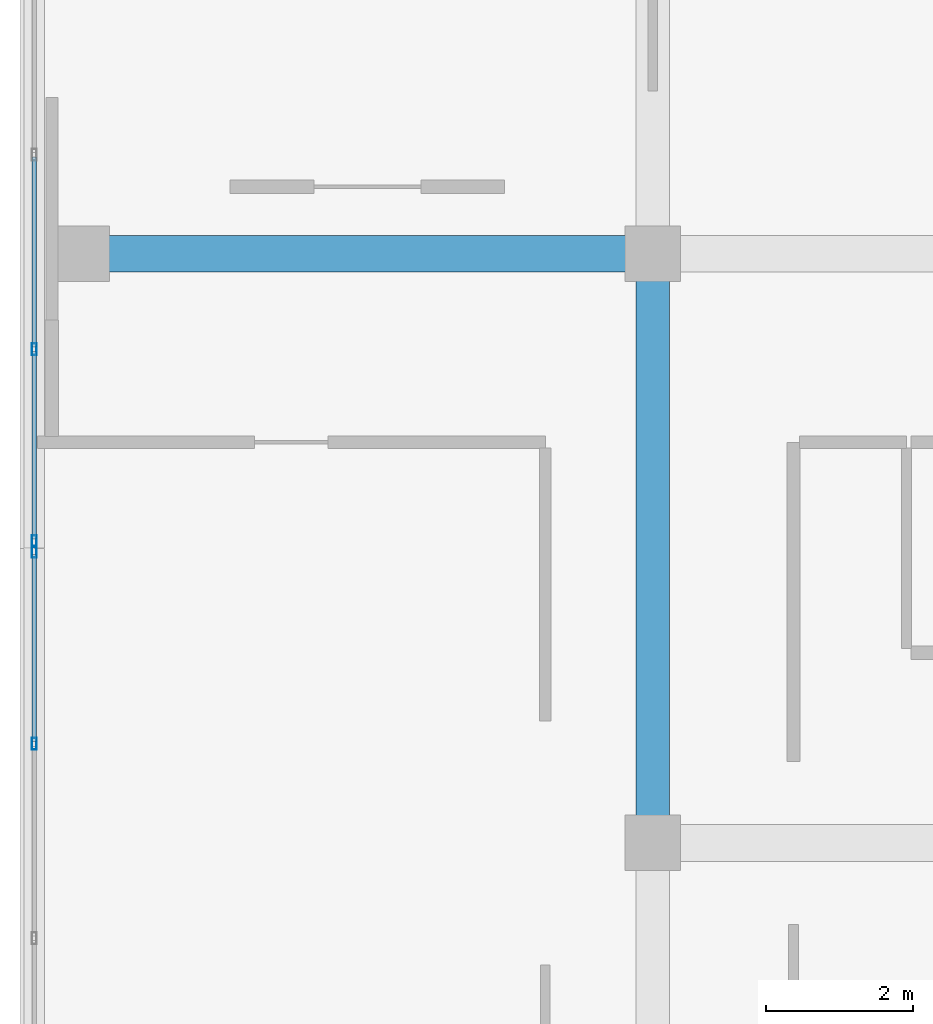
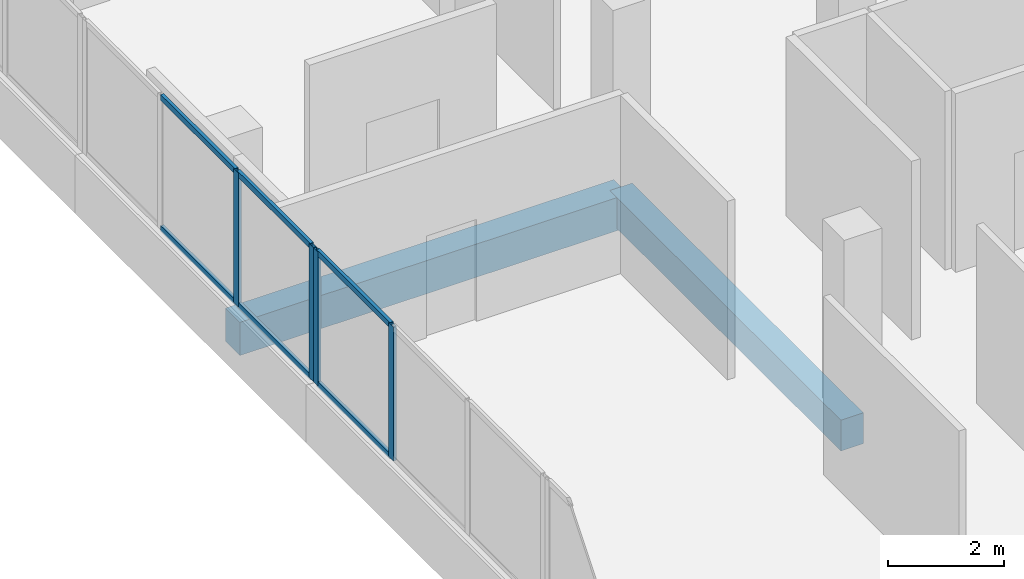
# One storey, part 27 of 101: 10 members, 2 beams, 2 elements without a shape of their own.
"""IFC4 building model written with IfcOpenShell, lengths in metres."""

from ifc_helpers import new_model, si_unit, direction, frame, origin, origin_2d, place, context, subcontext, project, spatial, rectangle, hollow_rectangle, extrude, material, material_profile, profile_set, type_object, element, aggregate, save


model = new_model("IFC4")

# Units and contexts
model_context = context("Model", 3, precision=1e-05, world=origin(), true_north=direction((0.0, 1.0)))
body_context = subcontext(model_context, "Body", "Model", "MODEL_VIEW")
ifc_project = project(units=[si_unit("LENGTHUNIT", "METRE"), si_unit("AREAUNIT", "SQUARE_METRE"), si_unit("VOLUMEUNIT", "CUBIC_METRE"), si_unit("PLANEANGLEUNIT", "RADIAN"), si_unit("MASSUNIT", "GRAM", prefix="KILO")], contexts=[model_context])

# Site, building, storey
site_placement = place(None, origin())
site = spatial("IfcSite", under=ifc_project, at=site_placement, CompositionType="ELEMENT")
building_placement = place(site_placement, origin())
building = spatial("IfcBuilding", under=site, at=building_placement, Name="Selatvlak General Hospital", CompositionType="ELEMENT")
storey_placement = place(building_placement, frame((0.0, 0.0, 19.199951171875)))
storey = spatial("IfcBuildingStorey", under=building, at=storey_placement, Name="L04", CompositionType="ELEMENT", Elevation=19.199951171875)

# Beams
ifc_material_1 = material(Name="Concrete C40/50", Category="concrete")
ifc_material_profile_1 = material_profile(ifc_material_1, rectangle(XDim=0.5, YDim=0.699951171875, at=origin_2d()), Name="RC-BM 500x700")
ifc_profile_set_1 = profile_set([ifc_material_profile_1], Name="Concrete C40/50")
beam_type_1 = type_object("IfcBeamType", Name="BM-G03", PredefinedType="BEAM", material=ifc_profile_set_1)
beam_1_placement = place(storey_placement, frame((15.050048828125, 108.0, -0.655029296875), z_axis=(1.0, 0.0, 0.0), x_axis=(0.0, 1.0, 0.0)))
element("IfcBeam", 1, at=beam_1_placement, inside=storey, type_object=beam_type_1, Name="Beam BMR-L04-1600", PredefinedType="BEAM", context=body_context, shape_type="SweptSolid", body=[
    extrude(rectangle(XDim=0.5, YDim=0.699951171875, at=origin_2d()), origin(), (0.0, 0.0, 1.0), 7.75),
])
ifc_material_profile_2 = material_profile(ifc_material_1, rectangle(XDim=0.449951171875, YDim=0.64990234375, at=origin_2d()), Name="RC-BM 450x650")
ifc_profile_set_2 = profile_set([ifc_material_profile_2], Name="Concrete C40/50")
beam_type_2 = type_object("IfcBeamType", Name="BM-G04", PredefinedType="BEAM", material=ifc_profile_set_2)
beam_2_placement = place(storey_placement, frame((22.800048828125, 100.0, -0.6298828125), z_axis=(0.0, 1.0, 0.0), x_axis=(-1.0, 0.0, 0.0)))
element("IfcBeam", 2, at=beam_2_placement, inside=storey, type_object=beam_type_2, Name="Beam BMR-L04-1645", PredefinedType="BEAM", context=body_context, shape_type="SweptSolid", body=[
    extrude(rectangle(XDim=0.449951171875, YDim=0.64990234375, at=origin_2d()), origin(), (0.0, 0.0, 1.0), 8.0),
])

# Curtain wall, members
ifc_material_2 = material(Name="Solar-control Low-E double glazing", Category="glass")
curtain_wall_type_1 = type_object("IfcCurtainWallType", Name="CW-CW-01", PredefinedType="USERDEFINED", material=ifc_material_2)
curtain_wall_1_placement = place(storey_placement, origin())
curtain_wall_1 = element("IfcCurtainWall", 3, at=curtain_wall_1_placement, inside=storey, type_object=curtain_wall_type_1, Name="Glazed facade curtain wall CW-L04-0477", ObjectType="UNITISED CURTAIN WALL", PredefinedType="USERDEFINED")
ifc_material_3 = material(Name="Dark anodised aluminium mullion", Category="aluminium")
ifc_material_profile_3 = material_profile(ifc_material_3, hollow_rectangle(XDim=0.06494140625, YDim=0.159912109375, WallThickness=0.00390625, at=origin_2d()), Name="AL-MUL 65x160x4")
ifc_profile_set_3 = profile_set([ifc_material_profile_3], Name="Dark anodised aluminium mullion")
member_type_1 = type_object("IfcMemberType", Name="CWM-01", PredefinedType="MULLION", material=ifc_profile_set_3)
member_1_placement = place(storey_placement, frame((14.39990234375, 101.34423828125, 0.93994140625), z_axis=(0.0, 0.0, 1.0), x_axis=(-1.0, 0.0, 0.0)))
member_1 = element("IfcMember", 4, at=member_1_placement, type_object=member_type_1, Name="CW-01 mullion 3", PredefinedType="MULLION", context=body_context, shape_type="SweptSolid", body=[
    extrude(hollow_rectangle(XDim=0.06494140625, YDim=0.159912109375, WallThickness=0.00390625, at=origin_2d()), origin(), (0.0, 0.0, 1.0), 2.830078125),
])
member_2_placement = place(storey_placement, frame((14.39990234375, 103.951416015625, 0.93994140625), z_axis=(0.0, 0.0, 1.0), x_axis=(-1.0, 0.0, 0.0)))
member_2 = element("IfcMember", 5, at=member_2_placement, type_object=member_type_1, Name="CW-01 mullion 4", PredefinedType="MULLION", context=body_context, shape_type="SweptSolid", body=[
    extrude(hollow_rectangle(XDim=0.06494140625, YDim=0.159912109375, WallThickness=0.00390625, at=origin_2d()), origin(), (0.0, 0.0, 1.0), 2.830078125),
])

curtain_wall_type_2 = type_object("IfcCurtainWallType", Name="CW-CW-02", PredefinedType="USERDEFINED", material=ifc_material_2)
curtain_wall_2_placement = place(storey_placement, origin())
curtain_wall_2 = element("IfcCurtainWall", 6, at=curtain_wall_2_placement, inside=storey, type_object=curtain_wall_type_2, Name="Glazed facade curtain wall CW-L04-0478", ObjectType="UNITISED CURTAIN WALL", PredefinedType="USERDEFINED")
member_3_placement = place(storey_placement, frame((14.39990234375, 104.096435546875, 0.93994140625), z_axis=(0.0, 0.0, 1.0), x_axis=(-1.0, 0.0, 0.0)))
member_3 = element("IfcMember", 7, at=member_3_placement, type_object=member_type_1, Name="CW-02 mullion 1", PredefinedType="MULLION", context=body_context, shape_type="SweptSolid", body=[
    extrude(hollow_rectangle(XDim=0.06494140625, YDim=0.159912109375, WallThickness=0.00390625, at=origin_2d()), origin(), (0.0, 0.0, 1.0), 2.830078125),
])
member_4_placement = place(storey_placement, frame((14.39990234375, 106.7041015625, 0.93994140625), z_axis=(0.0, 0.0, 1.0), x_axis=(-1.0, 0.0, 0.0)))
member_4 = element("IfcMember", 8, at=member_4_placement, type_object=member_type_1, Name="CW-02 mullion 2", PredefinedType="MULLION", context=body_context, shape_type="SweptSolid", body=[
    extrude(hollow_rectangle(XDim=0.06494140625, YDim=0.159912109375, WallThickness=0.00390625, at=origin_2d()), origin(), (0.0, 0.0, 1.0), 2.830078125),
])

# Member
ifc_material_profile_4 = material_profile(ifc_material_3, hollow_rectangle(XDim=0.06494140625, YDim=0.1201171875, WallThickness=0.00390625, at=origin_2d()), Name="AL-TRN 65x120x4")
ifc_profile_set_4 = profile_set([ifc_material_profile_4], Name="Dark anodised aluminium mullion")
member_type_2 = type_object("IfcMemberType", Name="CWT-01", PredefinedType="USERDEFINED", material=ifc_profile_set_4)
member_5_placement = place(storey_placement, frame((14.39990234375, 101.376953125, 0.97265625), z_axis=(0.0, 1.0, 0.0), x_axis=(-1.0, 0.0, 0.0)))
member_5 = element("IfcMember", 9, at=member_5_placement, type_object=member_type_2, Name="CW-01 transom 3.1", ObjectType="TRANSOM", PredefinedType="USERDEFINED", context=body_context, shape_type="SweptSolid", body=[
    extrude(hollow_rectangle(XDim=0.06494140625, YDim=0.1201171875, WallThickness=0.00390625, at=origin_2d()), origin(), (0.0, 0.0, 1.0), 2.5419921875),
])

member_6_placement = place(storey_placement, frame((14.39990234375, 101.376953125, 3.737548828125), z_axis=(0.0, 1.0, 0.0), x_axis=(-1.0, 0.0, 0.0)))
member_6 = element("IfcMember", 10, at=member_6_placement, type_object=member_type_2, Name="CW-01 transom 3.2", ObjectType="TRANSOM", PredefinedType="USERDEFINED", context=body_context, shape_type="SweptSolid", body=[
    extrude(hollow_rectangle(XDim=0.06494140625, YDim=0.1201171875, WallThickness=0.00390625, at=origin_2d()), origin(), (0.0, 0.0, 1.0), 2.5419921875),
])

aggregate(curtain_wall_1, [member_1, member_2, member_5, member_6])

member_7_placement = place(storey_placement, frame((14.39990234375, 104.12890625, 0.97265625), z_axis=(0.0, 1.0, 0.0), x_axis=(-1.0, 0.0, 0.0)))
member_7 = element("IfcMember", 11, at=member_7_placement, type_object=member_type_2, Name="CW-02 transom 1.1", ObjectType="TRANSOM", PredefinedType="USERDEFINED", context=body_context, shape_type="SweptSolid", body=[
    extrude(hollow_rectangle(XDim=0.06494140625, YDim=0.1201171875, WallThickness=0.00390625, at=origin_2d()), origin(), (0.0, 0.0, 1.0), 2.54248046875),
])

member_8_placement = place(storey_placement, frame((14.39990234375, 104.12890625, 3.737548828125), z_axis=(0.0, 1.0, 0.0), x_axis=(-1.0, 0.0, 0.0)))
member_8 = element("IfcMember", 12, at=member_8_placement, type_object=member_type_2, Name="CW-02 transom 1.2", ObjectType="TRANSOM", PredefinedType="USERDEFINED", context=body_context, shape_type="SweptSolid", body=[
    extrude(hollow_rectangle(XDim=0.06494140625, YDim=0.1201171875, WallThickness=0.00390625, at=origin_2d()), origin(), (0.0, 0.0, 1.0), 2.54248046875),
])

member_9_placement = place(storey_placement, frame((14.39990234375, 106.736572265625, 0.97265625), z_axis=(0.0, 1.0, 0.0), x_axis=(-1.0, 0.0, 0.0)))
member_9 = element("IfcMember", 13, at=member_9_placement, type_object=member_type_2, Name="CW-02 transom 2.1", ObjectType="TRANSOM", PredefinedType="USERDEFINED", context=body_context, shape_type="SweptSolid", body=[
    extrude(hollow_rectangle(XDim=0.06494140625, YDim=0.1201171875, WallThickness=0.00390625, at=origin_2d()), origin(), (0.0, 0.0, 1.0), 2.574951171875),
])

member_10_placement = place(storey_placement, frame((14.39990234375, 106.736572265625, 3.737548828125), z_axis=(0.0, 1.0, 0.0), x_axis=(-1.0, 0.0, 0.0)))
member_10 = element("IfcMember", 14, at=member_10_placement, type_object=member_type_2, Name="CW-02 transom 2.2", ObjectType="TRANSOM", PredefinedType="USERDEFINED", context=body_context, shape_type="SweptSolid", body=[
    extrude(hollow_rectangle(XDim=0.06494140625, YDim=0.1201171875, WallThickness=0.00390625, at=origin_2d()), origin(), (0.0, 0.0, 1.0), 2.574951171875),
])

aggregate(curtain_wall_2, [member_3, member_4, member_7, member_8, member_9, member_10])

save(model, "model.ifc")
